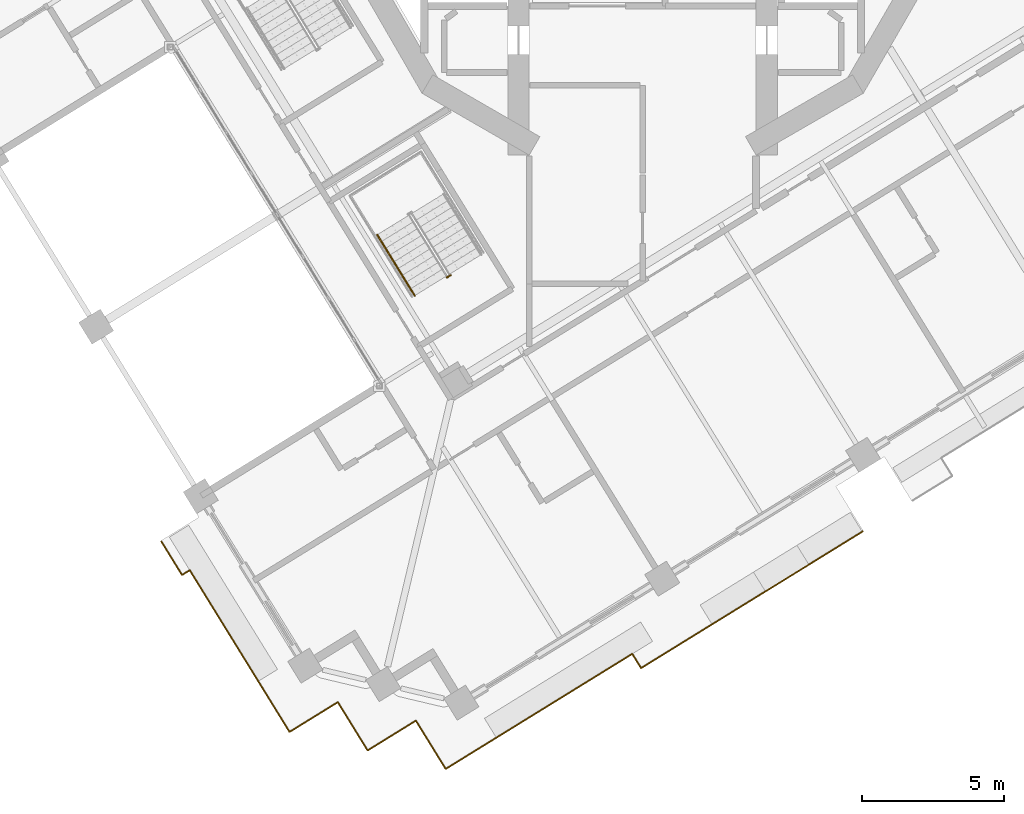
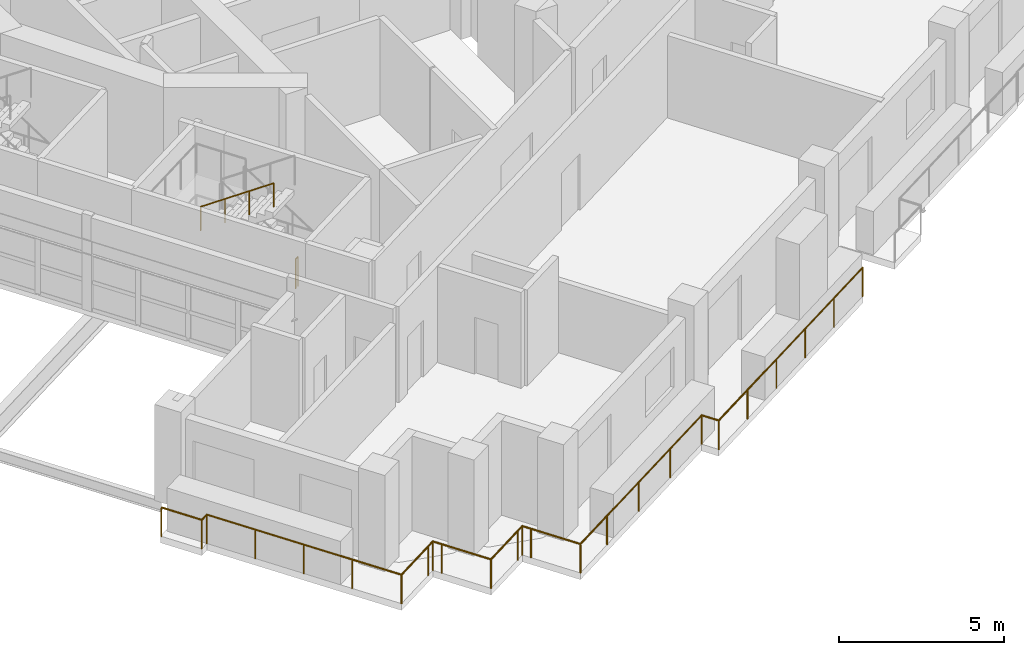
# One storey, part 15 of 22: 4 railings.
"""IFC4 building model written with IfcOpenShell, lengths in metres."""

from ifc_helpers import new_model, si_unit, direction, frame, origin, origin_2d, place, context, subcontext, project, spatial, circle, extrude, material, type_object, element, save


model = new_model("IFC4")

# Units and contexts
model_context = context("Model", 3, precision=1e-05, world=origin(), true_north=direction((0.0, 1.0)))
body_context = subcontext(model_context, "Body", "Model", "MODEL_VIEW")
ifc_project = project(units=[si_unit("LENGTHUNIT", "METRE"), si_unit("AREAUNIT", "SQUARE_METRE"), si_unit("VOLUMEUNIT", "CUBIC_METRE"), si_unit("PLANEANGLEUNIT", "RADIAN"), si_unit("MASSUNIT", "GRAM", prefix="KILO")], contexts=[model_context])

# Site, building, storey
site_placement = place(None, origin())
site = spatial("IfcSite", under=ifc_project, at=site_placement, CompositionType="ELEMENT")
building_placement = place(site_placement, origin())
building = spatial("IfcBuilding", under=site, at=building_placement, Name="Cantera Rosa Tower", CompositionType="ELEMENT")
storey_placement = place(building_placement, frame((0.0, 0.0, 162.800048828125)))
storey = spatial("IfcBuildingStorey", under=building, at=storey_placement, Name="L35", CompositionType="ELEMENT", Elevation=162.800048828125)

# Railings
ifc_material_1 = material(Name="Stainless steel and laminated glass", Category="steel")
railing_type_1 = type_object("IfcRailingType", Name="GUARD 1100", PredefinedType="BALUSTRADE", material=ifc_material_1)
railing_1_placement = place(storey_placement, frame((-10.74658203125, -29.245849609375, 0.0)))
element("IfcRailing", 1, at=railing_1_placement, inside=storey, type_object=railing_type_1, Name="GUARD L35-1", PredefinedType="BALUSTRADE", context=body_context, shape_type="SweptSolid", body=[
    extrude(circle(Radius=0.030029296875, at=origin_2d()), frame((0.0, 0.0, 1.070068359375), z_axis=(-0.85118298814, -0.524869051004, 0.0), x_axis=(0.524869051004, -0.85118298814, 0.0)), (0.0, 0.0, 1.0), 0.300048828125),
    extrude(circle(Radius=0.030029296875, at=origin_2d()), frame((-0.25537109375, -0.157470703125, 1.070068359375), z_axis=(-0.851066052965, -0.525058638144, 0.0), x_axis=(0.525058638144, -0.851066052965, 0.0)), (0.0, 0.0, 1.0), 1.699951171875),
    extrude(circle(Radius=0.030029296875, at=origin_2d()), frame((-1.7021484375, -1.050048828125, 1.070068359375), z_axis=(-0.524994468487, 0.851105638601, 0.0), x_axis=(-0.851105638601, -0.524994468487, 0.0)), (0.0, 0.0, 1.0), 1.7001953125),
    extrude(circle(Radius=0.030029296875, at=origin_2d()), frame((-2.5947265625, 0.39697265625, 1.070068359375), z_axis=(-0.524980117429, 0.851114490715, 0.0), x_axis=(-0.851114490715, -0.524980117429, 0.0)), (0.0, 0.0, 1.0), 4.998291015625),
    extrude(circle(Radius=0.030029296875, at=origin_2d()), frame((-5.21875, 4.651123046875, 1.070068359375), z_axis=(-0.851266981661, -0.524732813852, 0.0), x_axis=(0.524732813852, -0.851266981661, 0.0)), (0.0, 0.0, 1.0), 0.321533203125),
    extrude(circle(Radius=0.030029296875, at=origin_2d()), frame((-5.492431640625, 4.482421875, 1.070068359375), z_axis=(-0.524958614505, 0.851127753664, 0.0), x_axis=(-0.851127753664, -0.524958614505, 0.0)), (0.0, 0.0, 1.0), 1.391357421875),
    extrude(circle(Radius=0.02490234375, at=origin_2d()), origin(), (0.0, 0.0, 1.0), 1.0400390625),
    extrude(circle(Radius=0.02490234375, at=origin_2d()), frame((-0.25537109375, -0.157470703125, 0.0)), (0.0, 0.0, 1.0), 1.0400390625),
    extrude(circle(Radius=0.02490234375, at=origin_2d()), frame((-1.7021484375, -1.050048828125, 0.0)), (0.0, 0.0, 1.0), 1.0400390625),
    extrude(circle(Radius=0.02490234375, at=origin_2d()), frame((-2.5947265625, 0.39697265625, 0.0)), (0.0, 0.0, 1.0), 1.0400390625),
    extrude(circle(Radius=0.02490234375, at=origin_2d()), frame((-3.469482421875, 1.81494140625, 0.0)), (0.0, 0.0, 1.0), 1.0400390625),
    extrude(circle(Radius=0.02490234375, at=origin_2d()), frame((-4.343994140625, 3.233154296875, 0.0)), (0.0, 0.0, 1.0), 1.0400390625),
    extrude(circle(Radius=0.02490234375, at=origin_2d()), frame((-5.21875, 4.651123046875, 0.0)), (0.0, 0.0, 1.0), 1.0400390625),
    extrude(circle(Radius=0.02490234375, at=origin_2d()), frame((-5.492431640625, 4.482421875, 0.0)), (0.0, 0.0, 1.0), 1.0400390625),
    extrude(circle(Radius=0.02490234375, at=origin_2d()), frame((-6.222900390625, 5.666748046875, 0.0)), (0.0, 0.0, 1.0), 1.0400390625),
])
railing_2_placement = place(storey_placement, frame((7.758056640625, -23.225830078125, 0.0)))
element("IfcRailing", 2, at=railing_2_placement, inside=storey, type_object=railing_type_1, Name="GUARD L35-2", PredefinedType="BALUSTRADE", context=body_context, shape_type="SweptSolid", body=[
    extrude(circle(Radius=0.030029296875, at=origin_2d()), frame((0.0, 0.0, 1.070068359375), z_axis=(-0.851116410295, -0.524977005331, 0.0), x_axis=(0.524977005331, -0.851116410295, 0.0)), (0.0, 0.0, 1.0), 9.1806640625),
    extrude(circle(Radius=0.030029296875, at=origin_2d()), frame((-7.813720703125, -4.819580078125, 1.070068359375), z_axis=(-0.525272898225, 0.850933829619, 0.0), x_axis=(-0.850933829619, -0.525272898225, 0.0)), (0.0, 0.0, 1.0), 0.5908203125),
    extrude(circle(Radius=0.030029296875, at=origin_2d()), frame((-8.1240234375, -4.31689453125, 1.070068359375), z_axis=(-0.851111466066, -0.524985021054, 0.0), x_axis=(0.524985021054, -0.851111466066, 0.0)), (0.0, 0.0, 1.0), 6.029296875),
    extrude(circle(Radius=0.030029296875, at=origin_2d()), frame((-13.255615234375, -7.482177734375, 1.070068359375), z_axis=(-0.851130227454, -0.524954603669, 0.0), x_axis=(0.524954603669, -0.851130227454, 0.0)), (0.0, 0.0, 1.0), 1.699951171875),
    extrude(circle(Radius=0.030029296875, at=origin_2d()), frame((-14.702392578125, -8.37451171875, 1.070068359375), z_axis=(-0.525058638144, 0.851066052965, 0.0), x_axis=(-0.851066052965, -0.525058638144, 0.0)), (0.0, 0.0, 1.0), 1.699951171875),
    extrude(circle(Radius=0.030029296875, at=origin_2d()), frame((-15.594970703125, -6.927734375, 1.070068359375), z_axis=(-0.524869051004, 0.85118298814, 0.0), x_axis=(-0.85118298814, -0.524869051004, 0.0)), (0.0, 0.0, 1.0), 0.300048828125),
    extrude(circle(Radius=0.030029296875, at=origin_2d()), frame((-15.75244140625, -6.67236328125, 1.070068359375), z_axis=(-0.85118298814, -0.524869051004, 0.0), x_axis=(0.524869051004, -0.85118298814, 0.0)), (0.0, 0.0, 1.0), 0.300048828125),
    extrude(circle(Radius=0.030029296875, at=origin_2d()), frame((-16.0078125, -6.829833984375, 1.070068359375), z_axis=(-0.851066052965, -0.525058638144, 0.0), x_axis=(0.525058638144, -0.851066052965, 0.0)), (0.0, 0.0, 1.0), 1.699951171875),
    extrude(circle(Radius=0.030029296875, at=origin_2d()), frame((-17.45458984375, -7.722412109375, 1.070068359375), z_axis=(-0.524994468487, 0.851105638601, 0.0), x_axis=(-0.851105638601, -0.524994468487, 0.0)), (0.0, 0.0, 1.0), 1.7001953125),
    extrude(circle(Radius=0.030029296875, at=origin_2d()), frame((-18.34716796875, -6.275390625, 1.070068359375), z_axis=(-0.524869051004, 0.85118298814, 0.0), x_axis=(-0.85118298814, -0.524869051004, 0.0)), (0.0, 0.0, 1.0), 0.300048828125),
    extrude(circle(Radius=0.02490234375, at=origin_2d()), origin(), (0.0, 0.0, 1.0), 1.0400390625),
    extrude(circle(Radius=0.02490234375, at=origin_2d()), frame((-1.562744140625, -0.9638671875, 0.0)), (0.0, 0.0, 1.0), 1.0400390625),
    extrude(circle(Radius=0.02490234375, at=origin_2d()), frame((-3.12548828125, -1.927734375, 0.0)), (0.0, 0.0, 1.0), 1.0400390625),
    extrude(circle(Radius=0.02490234375, at=origin_2d()), frame((-4.688232421875, -2.891845703125, 0.0)), (0.0, 0.0, 1.0), 1.0400390625),
    extrude(circle(Radius=0.02490234375, at=origin_2d()), frame((-6.2509765625, -3.855712890625, 0.0)), (0.0, 0.0, 1.0), 1.0400390625),
    extrude(circle(Radius=0.02490234375, at=origin_2d()), frame((-7.813720703125, -4.819580078125, 0.0)), (0.0, 0.0, 1.0), 1.0400390625),
    extrude(circle(Radius=0.02490234375, at=origin_2d()), frame((-8.1240234375, -4.31689453125, 0.0)), (0.0, 0.0, 1.0), 1.0400390625),
    extrude(circle(Radius=0.02490234375, at=origin_2d()), frame((-9.83447265625, -5.3720703125, 0.0)), (0.0, 0.0, 1.0), 1.0400390625),
    extrude(circle(Radius=0.02490234375, at=origin_2d()), frame((-11.545166015625, -6.427001953125, 0.0)), (0.0, 0.0, 1.0), 1.0400390625),
    extrude(circle(Radius=0.02490234375, at=origin_2d()), frame((-13.255615234375, -7.482177734375, 0.0)), (0.0, 0.0, 1.0), 1.0400390625),
    extrude(circle(Radius=0.02490234375, at=origin_2d()), frame((-14.702392578125, -8.37451171875, 0.0)), (0.0, 0.0, 1.0), 1.0400390625),
    extrude(circle(Radius=0.02490234375, at=origin_2d()), frame((-15.594970703125, -6.927734375, 0.0)), (0.0, 0.0, 1.0), 1.0400390625),
    extrude(circle(Radius=0.02490234375, at=origin_2d()), frame((-15.75244140625, -6.67236328125, 0.0)), (0.0, 0.0, 1.0), 1.0400390625),
    extrude(circle(Radius=0.02490234375, at=origin_2d()), frame((-16.0078125, -6.829833984375, 0.0)), (0.0, 0.0, 1.0), 1.0400390625),
    extrude(circle(Radius=0.02490234375, at=origin_2d()), frame((-17.45458984375, -7.722412109375, 0.0)), (0.0, 0.0, 1.0), 1.0400390625),
    extrude(circle(Radius=0.02490234375, at=origin_2d()), frame((-18.34716796875, -6.275390625, 0.0)), (0.0, 0.0, 1.0), 1.0400390625),
    extrude(circle(Radius=0.02490234375, at=origin_2d()), frame((-18.504638671875, -6.02001953125, 0.0)), (0.0, 0.0, 1.0), 1.0400390625),
])
ifc_material_2 = material(Name="Steel S355J2 (EN 10025-2)", Category="steel")
railing_type_2 = type_object("IfcRailingType", Name="STAIR GUARD 1100", PredefinedType="GUARDRAIL", material=ifc_material_2)
railing_3_placement = place(storey_placement, frame((-6.77490234375, -14.19482421875, 0.0)))
element("IfcRailing", 3, at=railing_3_placement, inside=storey, type_object=railing_type_2, Name="L35 ST-33 stair guard 3", PredefinedType="GUARDRAIL", context=body_context, shape_type="SweptSolid", body=[
    extrude(circle(Radius=0.02392578125, at=origin_2d()), frame((0.0, 0.0, 1.076171875), z_axis=(-0.851546489876, -0.524279100842, 0.0), x_axis=(0.524279100842, -0.851546489876, 0.0)), (0.0, 0.0, 1.0), 0.14990234375),
    extrude(circle(Radius=0.02099609375, at=origin_2d()), origin(), (0.0, 0.0, 1.0), 1.052001953125),
    extrude(circle(Radius=0.02099609375, at=origin_2d()), frame((-0.127685546875, -0.07861328125, 0.0)), (0.0, 0.0, 1.0), 1.052001953125),
])
ifc_material_3 = material(Name="Steel S355J2 (EN 10025-2)", Category="steel")
railing_type_3 = type_object("IfcRailingType", Name="STAIR HANDRAIL 900", PredefinedType="HANDRAIL", material=ifc_material_3)
railing_4_placement = place(storey_placement, frame((-9.358154296875, -12.7685546875, 2.08984375)))
element("IfcRailing", 4, at=railing_4_placement, inside=storey, type_object=railing_type_3, Name="L35 ST-33 stair handrail 2", PredefinedType="HANDRAIL", context=body_context, shape_type="SweptSolid", body=[
    extrude(circle(Radius=0.02392578125, at=origin_2d()), frame((0.0, 0.0, 0.8759765625), z_axis=(0.434343018426, -0.704264196543, 0.561567523823), x_axis=(0.851145618652, 0.524929648476, 0.0)), (0.0, 0.0, 1.0), 3.04541015625),
    extrude(circle(Radius=0.02099609375, at=origin_2d()), origin(), (0.0, 0.0, 1.0), 0.851806640625),
    extrude(circle(Radius=0.02099609375, at=origin_2d()), frame((0.44091796875, -0.71484375, 0.570068359375)), (0.0, 0.0, 1.0), 0.851806640625),
    extrude(circle(Radius=0.02099609375, at=origin_2d()), frame((0.8818359375, -1.429931640625, 1.14013671875)), (0.0, 0.0, 1.0), 0.851806640625),
    extrude(circle(Radius=0.02099609375, at=origin_2d()), frame((1.32275390625, -2.144775390625, 1.710205078125)), (0.0, 0.0, 1.0), 0.851806640625),
])

save(model, "model.ifc")
